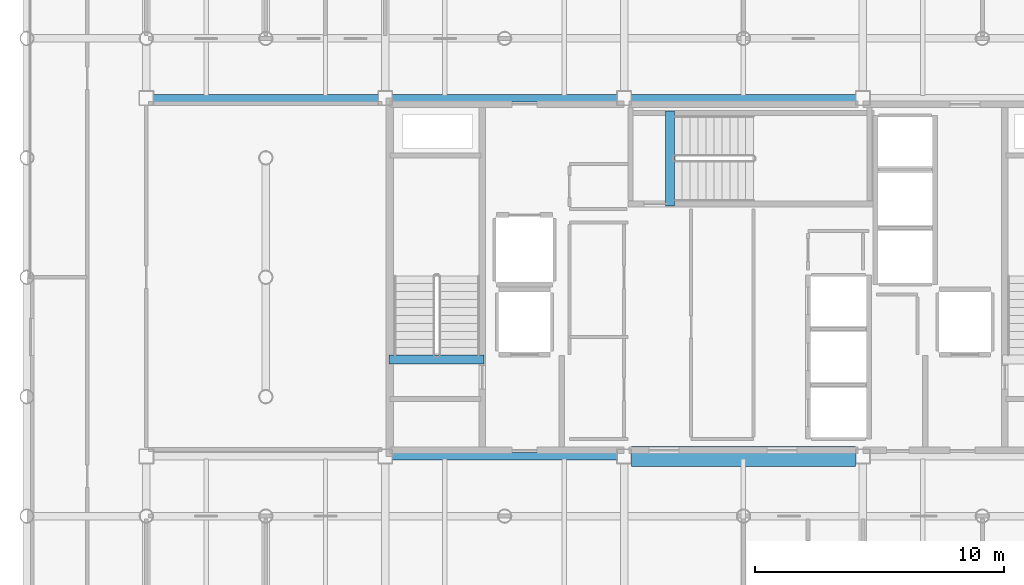
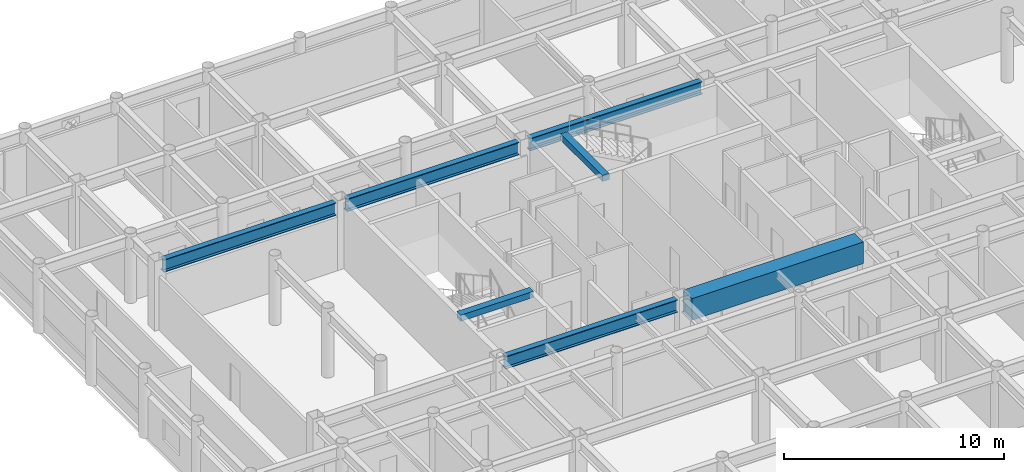
# One storey, part 7 of 22: 7 beams.
"""IFC4 building model written with IfcOpenShell, lengths in metres."""

from ifc_helpers import new_model, si_unit, direction, frame, origin, origin_2d, place, context, subcontext, project, spatial, rectangle, i_section, extrude, material, material_profile, profile_set, type_object, element, save


model = new_model("IFC4")

# Units and contexts
model_context = context("Model", 3, precision=1e-05, world=origin(), true_north=direction((0.0, 1.0)))
body_context = subcontext(model_context, "Body", "Model", "MODEL_VIEW")
ifc_project = project(units=[si_unit("LENGTHUNIT", "METRE"), si_unit("AREAUNIT", "SQUARE_METRE"), si_unit("VOLUMEUNIT", "CUBIC_METRE"), si_unit("PLANEANGLEUNIT", "RADIAN"), si_unit("MASSUNIT", "GRAM", prefix="KILO")], contexts=[model_context])

# Site, building, storey
site_placement = place(None, origin())
site = spatial("IfcSite", under=ifc_project, at=site_placement, CompositionType="ELEMENT")
building_placement = place(site_placement, origin())
building = spatial("IfcBuilding", under=site, at=building_placement, Name="Kallvorn Hotel Tower", CompositionType="ELEMENT")
storey_placement = place(building_placement, frame((0.0, 0.0, 203.050048828125)))
storey = spatial("IfcBuildingStorey", under=building, at=storey_placement, Name="L50", CompositionType="ELEMENT", Elevation=203.050048828125)

# Beams
ifc_material_1 = material(Name="Structural steel S355JR", Category="steel")
ifc_material_profile_1 = material_profile(ifc_material_1, i_section(OverallWidth=0.300048828125, OverallDepth=0.699951171875, WebThickness=0.01708984375, FlangeThickness=0.031982421875, at=origin_2d()), Name="HE 700 B")
ifc_profile_set_1 = profile_set([ifc_material_profile_1], Name="Structural steel S355JR")
beam_type_1 = type_object("IfcBeamType", Name="BM_HE700B", PredefinedType="BEAM", material=ifc_profile_set_1)
for number, where, z_axis, x_axis, name in (
    (1, (-14.125, -7.199951171875, 3.320068359375), (1.0, 0.0, 0.0), (0.0, 1.0, 0.0), "L51 Primary X-Girder 34"),
    (2, (-23.72509765625, 7.199951171875, 3.320068359375), (1.0, 0.0, 0.0), (0.0, 1.0, 0.0), "L51 Primary X-Girder 37"),
    (3, (-14.125, 7.199951171875, 3.320068359375), (1.0, 0.0, 0.0), (0.0, 1.0, 0.0), "L51 Primary X-Girder 38"),
):
    element("IfcBeam", number, at=place(storey_placement, frame(where, z_axis=z_axis, x_axis=x_axis)), inside=storey, type_object=beam_type_1, Name=name, PredefinedType="BEAM", context=body_context, shape_type="SweptSolid", body=[
        extrude(i_section(OverallWidth=0.300048828125, OverallDepth=0.699951171875, WebThickness=0.01708984375, FlangeThickness=0.031982421875, at=origin_2d()), origin(), (0.0, 0.0, 1.0), 9.050048828125),
    ])
beam_1_placement = place(storey_placement, frame((-4.52490234375, 7.199951171875, 3.320068359375), z_axis=(1.0, 0.0, 0.0), x_axis=(0.0, 1.0, 0.0)))
element("IfcBeam", 4, at=beam_1_placement, inside=storey, type_object=beam_type_1, Name="L51 Primary X-Girder 39", PredefinedType="BEAM", context=body_context, shape_type="SweptSolid", body=[
    extrude(i_section(OverallWidth=0.300048828125, OverallDepth=0.699951171875, WebThickness=0.01708984375, FlangeThickness=0.031982421875, at=origin_2d()), origin(), (0.0, 0.0, 1.0), 9.0498046875),
])
ifc_material_2 = material(Name="Concrete C50/60", Category="concrete")
ifc_material_profile_2 = material_profile(ifc_material_2, rectangle(XDim=0.360107421875, YDim=0.340087890625, at=origin_2d()), Name="RC 360x340")
ifc_profile_set_2 = profile_set([ifc_material_profile_2], Name="Concrete C50/60")
beam_type_2 = type_object("IfcBeamType", Name="BM_RC_400x360", PredefinedType="BEAM", material=ifc_profile_set_2)
beam_2_placement = place(storey_placement, frame((-10.419921875, -3.31005859375, 3.5), z_axis=(-1.0, 0.0, 0.0), x_axis=(0.0, -1.0, 0.0)))
element("IfcBeam", 5, at=beam_2_placement, inside=storey, type_object=beam_type_2, Name="L51 Stair ST1 Arrival Trimmer Beam", PredefinedType="BEAM", context=body_context, shape_type="SweptSolid", body=[
    extrude(rectangle(XDim=0.360107421875, YDim=0.340087890625, at=origin_2d()), origin(), (0.0, 0.0, 1.0), 3.820068359375),
])
beam_3_placement = place(storey_placement, frame((-2.9599609375, 2.8701171875, 3.5), z_axis=(0.0, 1.0, 0.0), x_axis=(-1.0, 0.0, 0.0)))
element("IfcBeam", 6, at=beam_3_placement, inside=storey, type_object=beam_type_2, Name="L51 Stair ST3 Arrival Trimmer Beam", PredefinedType="BEAM", context=body_context, shape_type="SweptSolid", body=[
    extrude(rectangle(XDim=0.360107421875, YDim=0.340087890625, at=origin_2d()), origin(), (0.0, 0.0, 1.0), 3.81982421875),
])
ifc_material_3 = material(Name="Concrete C50/60", Category="concrete")
ifc_material_profile_3 = material_profile(ifc_material_3, rectangle(XDim=0.800048828125, YDim=1.199951171875, at=origin_2d()), Name="RC 800x1200")
ifc_profile_set_3 = profile_set([ifc_material_profile_3], Name="Concrete C50/60")
beam_type_3 = type_object("IfcBeamType", Name="BM_RC_800x1200", PredefinedType="T_BEAM", material=ifc_profile_set_3)
beam_4_placement = place(storey_placement, frame((-4.5, -7.199951171875, 3.070068359375), z_axis=(1.0, 0.0, 0.0), x_axis=(0.0, 1.0, 0.0)))
element("IfcBeam", 7, at=beam_4_placement, inside=storey, type_object=beam_type_3, Name="L50 Core Coupling Beam South", PredefinedType="T_BEAM", context=body_context, shape_type="SweptSolid", body=[
    extrude(rectangle(XDim=0.800048828125, YDim=1.199951171875, at=origin_2d()), origin(), (0.0, 0.0, 1.0), 9.0),
])

save(model, "model.ifc")
